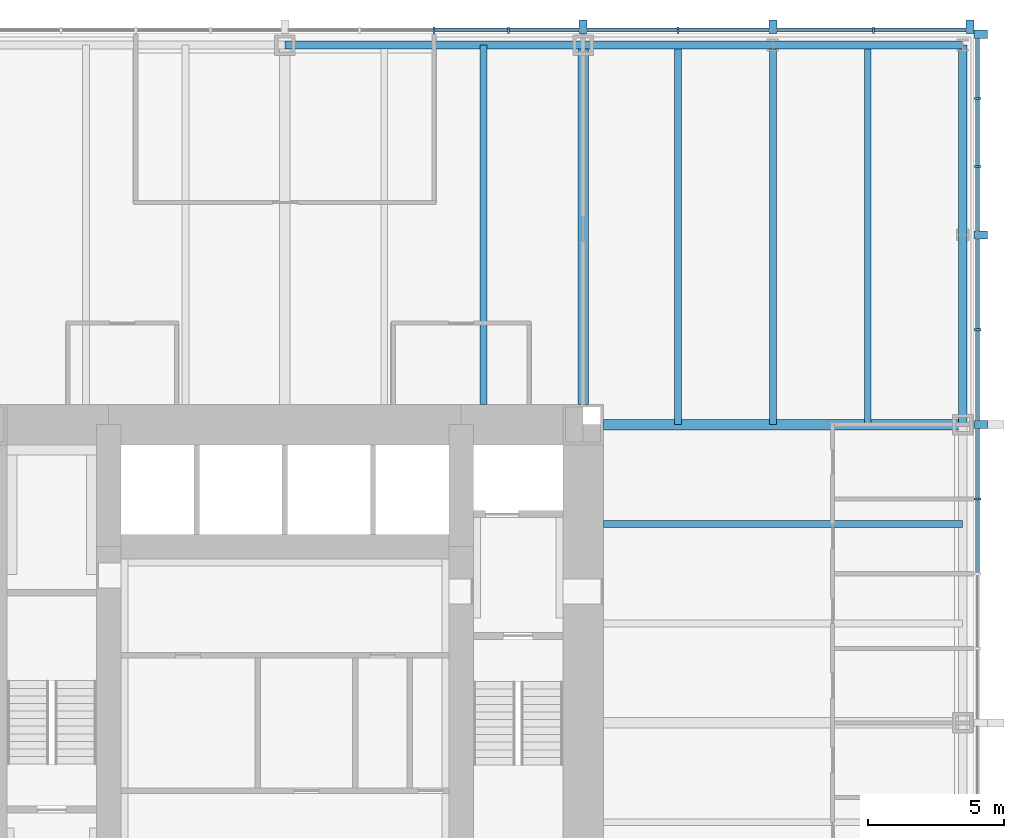
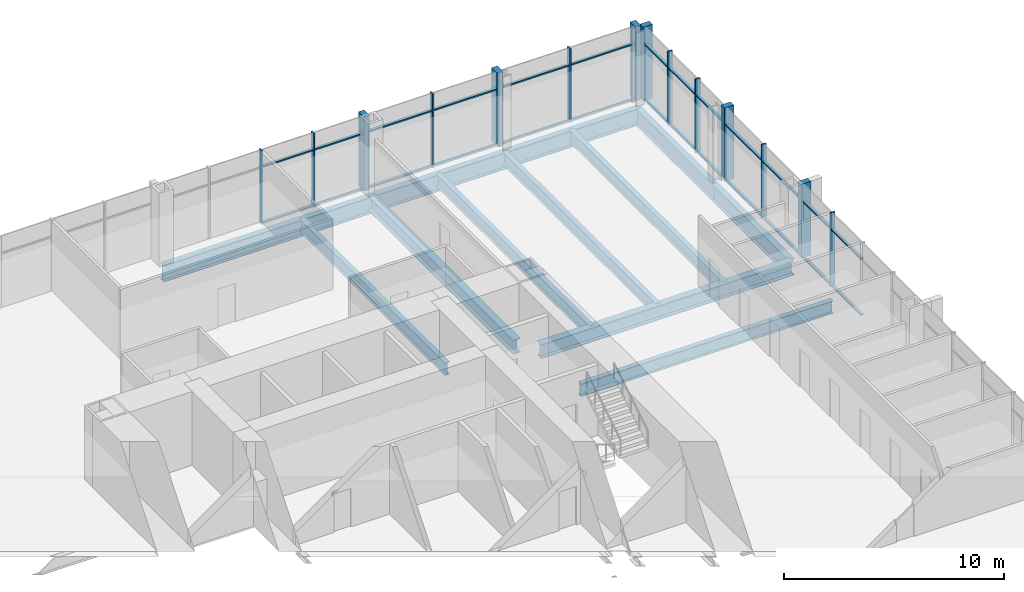
# One storey, part 6 of 13: 40 members, 12 beams, 2 elements without a shape of their own.
"""IFC4 building model written with IfcOpenShell, lengths in metres."""

from ifc_helpers import new_model, si_unit, direction, frame, origin, origin_2d, place, context, subcontext, project, spatial, rectangle, i_section, extrude, material, material_profile, profile_set, type_object, element, aggregate, save


model = new_model("IFC4")

# Units and contexts
model_context = context("Model", 3, precision=1e-05, world=origin(), true_north=direction((0.0, 1.0)))
body_context = subcontext(model_context, "Body", "Model", "MODEL_VIEW")
ifc_project = project(units=[si_unit("LENGTHUNIT", "METRE"), si_unit("AREAUNIT", "SQUARE_METRE"), si_unit("VOLUMEUNIT", "CUBIC_METRE"), si_unit("PLANEANGLEUNIT", "RADIAN"), si_unit("MASSUNIT", "GRAM", prefix="KILO")], contexts=[model_context])

# Site, building, storey
site_placement = place(None, origin())
site = spatial("IfcSite", under=ifc_project, at=site_placement, CompositionType="ELEMENT")
building_placement = place(site_placement, origin())
building = spatial("IfcBuilding", under=site, at=building_placement, Name="Trevanion Tower", CompositionType="ELEMENT")
storey_placement = place(building_placement, frame((0.0, 0.0, 81.60009765625)))
storey = spatial("IfcBuildingStorey", under=building, at=storey_placement, Name="L19", CompositionType="ELEMENT", Elevation=81.60009765625)

# Beams
ifc_material_1 = material(Name="Steel ASTM A992 Grade 50", Category="steel")
ifc_material_profile_1 = material_profile(ifc_material_1, i_section(OverallWidth=0.25390625, OverallDepth=0.700927734375, WebThickness=0.015380859375, FlangeThickness=0.02783203125, at=origin_2d()), Name="W27X129")
ifc_profile_set_1 = profile_set([ifc_material_profile_1], Name="Steel ASTM A992 Grade 50")
beam_type_1 = type_object("IfcBeamType", Name="B3 W27X129", PredefinedType="BEAM", material=ifc_profile_set_1)
for number, where, z_axis, x_axis, name in (
    (1, (11.75, 7.333251953125, -0.54052734375), (1.0, 0.0, 0.0), (0.0, 1.0, 0.0), "B3 L19"),
    (2, (7.333251953125, 11.75, -0.54052734375), (0.0, 1.0, 0.0), (-1.0, 0.0, 0.0), "B3 L19"),
):
    element("IfcBeam", number, at=place(storey_placement, frame(where, z_axis=z_axis, x_axis=x_axis)), inside=storey, type_object=beam_type_1, Name=name, PredefinedType="BEAM", context=body_context, shape_type="SweptSolid", body=[
        extrude(i_section(OverallWidth=0.25390625, OverallDepth=0.700927734375, WebThickness=0.015380859375, FlangeThickness=0.02783203125, at=origin_2d()), origin(), (0.0, 0.0, 1.0), 13.25),
    ])
ifc_material_2 = material(Name="Steel ASTM A992 Grade 50", Category="steel")
ifc_material_profile_2 = material_profile(ifc_material_2, i_section(OverallWidth=0.256591796875, OverallDepth=0.693359375, WebThickness=0.014404296875, FlangeThickness=0.023681640625, at=origin_2d()), Name="W27X114")
ifc_profile_set_2 = profile_set([ifc_material_profile_2], Name="Steel ASTM A992 Grade 50")
beam_type_2 = type_object("IfcBeamType", Name="B4 W27X114", PredefinedType="BEAM", material=ifc_profile_set_2)
for number, where, z_axis, x_axis, name in (
    (3, (14.5, 11.0, -0.536865234375), (0.0, 1.0, 0.0), (-1.0, 0.0, 0.0), "B4 L19"),
    (4, (18.0, 11.0, -0.536865234375), (0.0, 1.0, 0.0), (-1.0, 0.0, 0.0), "B4 L19"),
    (5, (21.5, 11.0, -0.536865234375), (0.0, 1.0, 0.0), (-1.0, 0.0, 0.0), "B4 L19"),
):
    element("IfcBeam", number, at=place(storey_placement, frame(where, z_axis=z_axis, x_axis=x_axis)), inside=storey, type_object=beam_type_2, Name=name, PredefinedType="BEAM", context=body_context, shape_type="SweptSolid", body=[
        extrude(i_section(OverallWidth=0.256591796875, OverallDepth=0.693359375, WebThickness=0.014404296875, FlangeThickness=0.023681640625, at=origin_2d()), origin(), (0.0, 0.0, 1.0), 14.0),
    ])

# Curtain wall, members
ifc_material_3 = material(Name="Aluminium and glass", Category="aluminium")
curtain_wall_type = type_object("IfcCurtainWallType", Name="CW1 curtain wall", PredefinedType="USERDEFINED", material=ifc_material_3)
curtain_wall_1_placement = place(storey_placement, origin())
curtain_wall_1 = element("IfcCurtainWall", 6, at=curtain_wall_1_placement, inside=storey, type_object=curtain_wall_type, Name="CW1 L19 0", ObjectType="UNITISED CURTAIN WALL", PredefinedType="USERDEFINED")
ifc_material_4 = material(Name="Aluminium extrusion, anodised bronze", Category="aluminium")
ifc_material_profile_3 = material_profile(ifc_material_4, rectangle(XDim=0.074951171875, YDim=0.25, at=origin_2d()), Name="CW1 mullion")
ifc_profile_set_3 = profile_set([ifc_material_profile_3], Name="Aluminium extrusion, anodised bronze")
member_type_1 = type_object("IfcMemberType", Name="CW1 mullion", PredefinedType="MULLION", material=ifc_profile_set_3)
member_1_placement = place(storey_placement, frame((25.550048828125, 8.25, -0.190185546875), z_axis=(0.0, 0.0, 1.0), x_axis=(0.0, 1.0, 0.0)))
member_1 = element("IfcMember", 7, at=member_1_placement, type_object=member_type_1, Name="CW1 mullion 12", PredefinedType="MULLION", context=body_context, shape_type="SweptSolid", body=[
    extrude(rectangle(XDim=0.074951171875, YDim=0.25, at=origin_2d()), origin(), (0.0, 0.0, 1.0), 4.10009765625),
])
member_2_placement = place(storey_placement, frame((25.550048828125, 14.5, -0.190185546875), z_axis=(0.0, 0.0, 1.0), x_axis=(0.0, 1.0, 0.0)))
member_2 = element("IfcMember", 8, at=member_2_placement, type_object=member_type_1, Name="CW1 mullion 14", PredefinedType="MULLION", context=body_context, shape_type="SweptSolid", body=[
    extrude(rectangle(XDim=0.074951171875, YDim=0.25, at=origin_2d()), origin(), (0.0, 0.0, 1.0), 4.10009765625),
])
member_3_placement = place(storey_placement, frame((25.550048828125, 20.5166015625, -0.190185546875), z_axis=(0.0, 0.0, 1.0), x_axis=(0.0, 1.0, 0.0)))
member_3 = element("IfcMember", 9, at=member_3_placement, type_object=member_type_1, Name="CW1 mullion 16", PredefinedType="MULLION", context=body_context, shape_type="SweptSolid", body=[
    extrude(rectangle(XDim=0.074951171875, YDim=0.25, at=origin_2d()), origin(), (0.0, 0.0, 1.0), 4.10009765625),
])
member_4_placement = place(storey_placement, frame((25.550048828125, 23.033203125, -0.190185546875), z_axis=(0.0, 0.0, 1.0), x_axis=(0.0, 1.0, 0.0)))
member_4 = element("IfcMember", 10, at=member_4_placement, type_object=member_type_1, Name="CW1 mullion 17", PredefinedType="MULLION", context=body_context, shape_type="SweptSolid", body=[
    extrude(rectangle(XDim=0.074951171875, YDim=0.25, at=origin_2d()), origin(), (0.0, 0.0, 1.0), 4.10009765625),
])

curtain_wall_2_placement = place(storey_placement, origin())
curtain_wall_2 = element("IfcCurtainWall", 11, at=curtain_wall_2_placement, inside=storey, type_object=curtain_wall_type, Name="CW1 L19 1", ObjectType="UNITISED CURTAIN WALL", PredefinedType="USERDEFINED")
member_5_placement = place(storey_placement, frame((21.7099609375, 25.550048828125, -0.190185546875), z_axis=(0.0, 0.0, 1.0), x_axis=(-1.0, 0.0, 0.0)))
member_5 = element("IfcMember", 12, at=member_5_placement, type_object=member_type_1, Name="CW1 mullion 2", PredefinedType="MULLION", context=body_context, shape_type="SweptSolid", body=[
    extrude(rectangle(XDim=0.074951171875, YDim=0.25, at=origin_2d()), origin(), (0.0, 0.0, 1.0), 4.10009765625),
])
member_6_placement = place(storey_placement, frame((14.5, 25.550048828125, -0.190185546875), z_axis=(0.0, 0.0, 1.0), x_axis=(-1.0, 0.0, 0.0)))
member_6 = element("IfcMember", 13, at=member_6_placement, type_object=member_type_1, Name="CW1 mullion 4", PredefinedType="MULLION", context=body_context, shape_type="SweptSolid", body=[
    extrude(rectangle(XDim=0.074951171875, YDim=0.25, at=origin_2d()), origin(), (0.0, 0.0, 1.0), 4.10009765625),
])
member_7_placement = place(storey_placement, frame((8.25, 25.550048828125, -0.190185546875), z_axis=(0.0, 0.0, 1.0), x_axis=(-1.0, 0.0, 0.0)))
member_7 = element("IfcMember", 14, at=member_7_placement, type_object=member_type_1, Name="CW1 mullion 6", PredefinedType="MULLION", context=body_context, shape_type="SweptSolid", body=[
    extrude(rectangle(XDim=0.074951171875, YDim=0.25, at=origin_2d()), origin(), (0.0, 0.0, 1.0), 4.10009765625),
])
member_8_placement = place(storey_placement, frame((5.5, 25.550048828125, -0.190185546875), z_axis=(0.0, 0.0, 1.0), x_axis=(-1.0, 0.0, 0.0)))
member_8 = element("IfcMember", 15, at=member_8_placement, type_object=member_type_1, Name="CW1 mullion 7", PredefinedType="MULLION", context=body_context, shape_type="SweptSolid", body=[
    extrude(rectangle(XDim=0.074951171875, YDim=0.25, at=origin_2d()), origin(), (0.0, 0.0, 1.0), 4.10009765625),
])

# Member
ifc_material_5 = material(Name="Aluminium extrusion, anodised bronze", Category="aluminium")
ifc_material_profile_4 = material_profile(ifc_material_5, rectangle(XDim=0.300048828125, YDim=0.5, at=origin_2d()), Name="CW1 pier mullion")
ifc_profile_set_4 = profile_set([ifc_material_profile_4], Name="Aluminium extrusion, anodised bronze")
member_type_2 = type_object("IfcMemberType", Name="CW1 pier mullion", PredefinedType="MULLION", material=ifc_profile_set_4)
member_9_placement = place(storey_placement, frame((25.675048828125, 11.0, -0.190185546875), z_axis=(0.0, 0.0, 1.0), x_axis=(0.0, 1.0, 0.0)))
member_9 = element("IfcMember", 16, at=member_9_placement, type_object=member_type_2, Name="CW1 pier mullion 13", PredefinedType="MULLION", context=body_context, shape_type="SweptSolid", body=[
    extrude(rectangle(XDim=0.300048828125, YDim=0.5, at=origin_2d()), origin(), (0.0, 0.0, 1.0), 4.10009765625),
])

member_10_placement = place(storey_placement, frame((25.675048828125, 18.0, -0.190185546875), z_axis=(0.0, 0.0, 1.0), x_axis=(0.0, 1.0, 0.0)))
member_10 = element("IfcMember", 17, at=member_10_placement, type_object=member_type_2, Name="CW1 pier mullion 15", PredefinedType="MULLION", context=body_context, shape_type="SweptSolid", body=[
    extrude(rectangle(XDim=0.300048828125, YDim=0.5, at=origin_2d()), origin(), (0.0, 0.0, 1.0), 4.10009765625),
])

member_11_placement = place(storey_placement, frame((25.675048828125, 25.39990234375, -0.190185546875), z_axis=(0.0, 0.0, 1.0), x_axis=(0.0, 1.0, 0.0)))
member_11 = element("IfcMember", 18, at=member_11_placement, type_object=member_type_2, Name="CW1 pier mullion 18", PredefinedType="MULLION", context=body_context, shape_type="SweptSolid", body=[
    extrude(rectangle(XDim=0.300048828125, YDim=0.5, at=origin_2d()), origin(), (0.0, 0.0, 1.0), 4.10009765625),
])

member_12_placement = place(storey_placement, frame((25.27001953125, 25.675048828125, -0.190185546875), z_axis=(0.0, 0.0, 1.0), x_axis=(-1.0, 0.0, 0.0)))
member_12 = element("IfcMember", 19, at=member_12_placement, type_object=member_type_2, Name="CW1 pier mullion 1", PredefinedType="MULLION", context=body_context, shape_type="SweptSolid", body=[
    extrude(rectangle(XDim=0.300048828125, YDim=0.5, at=origin_2d()), origin(), (0.0, 0.0, 1.0), 4.10009765625),
])

member_13_placement = place(storey_placement, frame((18.0, 25.675048828125, -0.190185546875), z_axis=(0.0, 0.0, 1.0), x_axis=(-1.0, 0.0, 0.0)))
member_13 = element("IfcMember", 20, at=member_13_placement, type_object=member_type_2, Name="CW1 pier mullion 3", PredefinedType="MULLION", context=body_context, shape_type="SweptSolid", body=[
    extrude(rectangle(XDim=0.300048828125, YDim=0.5, at=origin_2d()), origin(), (0.0, 0.0, 1.0), 4.10009765625),
])

member_14_placement = place(storey_placement, frame((11.0, 25.675048828125, -0.190185546875), z_axis=(0.0, 0.0, 1.0), x_axis=(-1.0, 0.0, 0.0)))
member_14 = element("IfcMember", 21, at=member_14_placement, type_object=member_type_2, Name="CW1 pier mullion 5", PredefinedType="MULLION", context=body_context, shape_type="SweptSolid", body=[
    extrude(rectangle(XDim=0.300048828125, YDim=0.5, at=origin_2d()), origin(), (0.0, 0.0, 1.0), 4.10009765625),
])

ifc_material_6 = material(Name="Aluminium extrusion, anodised bronze", Category="aluminium")
ifc_material_profile_5 = material_profile(ifc_material_6, rectangle(XDim=0.14990234375, YDim=0.074951171875, at=origin_2d()), Name="CW1 transom")
ifc_profile_set_5 = profile_set([ifc_material_profile_5], Name="Aluminium extrusion, anodised bronze")
member_type_3 = type_object("IfcMemberType", Name="CW1 transom", PredefinedType="USERDEFINED", material=ifc_profile_set_5)
member_15_placement = place(storey_placement, frame((25.550048828125, 5.53759765625, -0.152587890625), z_axis=(0.0, 1.0, 0.0), x_axis=(-1.0, 0.0, 0.0)))
member_15 = element("IfcMember", 22, at=member_15_placement, type_object=member_type_3, Name="CW1 transom 11.1", ObjectType="TRANSOM", PredefinedType="USERDEFINED", context=body_context, shape_type="SweptSolid", body=[
    extrude(rectangle(XDim=0.14990234375, YDim=0.074951171875, at=origin_2d()), origin(), (0.0, 0.0, 1.0), 2.6748046875),
])

member_16_placement = place(storey_placement, frame((25.550048828125, 5.53759765625, 2.9599609375), z_axis=(0.0, 1.0, 0.0), x_axis=(-1.0, 0.0, 0.0)))
member_16 = element("IfcMember", 23, at=member_16_placement, type_object=member_type_3, Name="CW1 transom 11.2", ObjectType="TRANSOM", PredefinedType="USERDEFINED", context=body_context, shape_type="SweptSolid", body=[
    extrude(rectangle(XDim=0.14990234375, YDim=0.074951171875, at=origin_2d()), origin(), (0.0, 0.0, 1.0), 2.6748046875),
])

member_17_placement = place(storey_placement, frame((25.550048828125, 8.28759765625, -0.152587890625), z_axis=(0.0, 1.0, 0.0), x_axis=(-1.0, 0.0, 0.0)))
member_17 = element("IfcMember", 24, at=member_17_placement, type_object=member_type_3, Name="CW1 transom 12.1", ObjectType="TRANSOM", PredefinedType="USERDEFINED", context=body_context, shape_type="SweptSolid", body=[
    extrude(rectangle(XDim=0.14990234375, YDim=0.074951171875, at=origin_2d()), origin(), (0.0, 0.0, 1.0), 2.5625),
])

member_18_placement = place(storey_placement, frame((25.550048828125, 8.28759765625, 2.9599609375), z_axis=(0.0, 1.0, 0.0), x_axis=(-1.0, 0.0, 0.0)))
member_18 = element("IfcMember", 25, at=member_18_placement, type_object=member_type_3, Name="CW1 transom 12.2", ObjectType="TRANSOM", PredefinedType="USERDEFINED", context=body_context, shape_type="SweptSolid", body=[
    extrude(rectangle(XDim=0.14990234375, YDim=0.074951171875, at=origin_2d()), origin(), (0.0, 0.0, 1.0), 2.5625),
])

member_19_placement = place(storey_placement, frame((25.550048828125, 11.14990234375, -0.152587890625), z_axis=(0.0, 1.0, 0.0), x_axis=(-1.0, 0.0, 0.0)))
member_19 = element("IfcMember", 26, at=member_19_placement, type_object=member_type_3, Name="CW1 transom 13.1", ObjectType="TRANSOM", PredefinedType="USERDEFINED", context=body_context, shape_type="SweptSolid", body=[
    extrude(rectangle(XDim=0.14990234375, YDim=0.074951171875, at=origin_2d()), origin(), (0.0, 0.0, 1.0), 3.3125),
])

member_20_placement = place(storey_placement, frame((25.550048828125, 11.14990234375, 2.9599609375), z_axis=(0.0, 1.0, 0.0), x_axis=(-1.0, 0.0, 0.0)))
member_20 = element("IfcMember", 27, at=member_20_placement, type_object=member_type_3, Name="CW1 transom 13.2", ObjectType="TRANSOM", PredefinedType="USERDEFINED", context=body_context, shape_type="SweptSolid", body=[
    extrude(rectangle(XDim=0.14990234375, YDim=0.074951171875, at=origin_2d()), origin(), (0.0, 0.0, 1.0), 3.3125),
])

member_21_placement = place(storey_placement, frame((25.550048828125, 14.53759765625, -0.152587890625), z_axis=(0.0, 1.0, 0.0), x_axis=(-1.0, 0.0, 0.0)))
member_21 = element("IfcMember", 28, at=member_21_placement, type_object=member_type_3, Name="CW1 transom 14.1", ObjectType="TRANSOM", PredefinedType="USERDEFINED", context=body_context, shape_type="SweptSolid", body=[
    extrude(rectangle(XDim=0.14990234375, YDim=0.074951171875, at=origin_2d()), origin(), (0.0, 0.0, 1.0), 3.3125),
])

member_22_placement = place(storey_placement, frame((25.550048828125, 14.53759765625, 2.9599609375), z_axis=(0.0, 1.0, 0.0), x_axis=(-1.0, 0.0, 0.0)))
member_22 = element("IfcMember", 29, at=member_22_placement, type_object=member_type_3, Name="CW1 transom 14.2", ObjectType="TRANSOM", PredefinedType="USERDEFINED", context=body_context, shape_type="SweptSolid", body=[
    extrude(rectangle(XDim=0.14990234375, YDim=0.074951171875, at=origin_2d()), origin(), (0.0, 0.0, 1.0), 3.3125),
])

member_23_placement = place(storey_placement, frame((25.550048828125, 18.14990234375, -0.152587890625), z_axis=(0.0, 1.0, 0.0), x_axis=(-1.0, 0.0, 0.0)))
member_23 = element("IfcMember", 30, at=member_23_placement, type_object=member_type_3, Name="CW1 transom 15.1", ObjectType="TRANSOM", PredefinedType="USERDEFINED", context=body_context, shape_type="SweptSolid", body=[
    extrude(rectangle(XDim=0.14990234375, YDim=0.074951171875, at=origin_2d()), origin(), (0.0, 0.0, 1.0), 2.329345703125),
])

member_24_placement = place(storey_placement, frame((25.550048828125, 18.14990234375, 2.9599609375), z_axis=(0.0, 1.0, 0.0), x_axis=(-1.0, 0.0, 0.0)))
member_24 = element("IfcMember", 31, at=member_24_placement, type_object=member_type_3, Name="CW1 transom 15.2", ObjectType="TRANSOM", PredefinedType="USERDEFINED", context=body_context, shape_type="SweptSolid", body=[
    extrude(rectangle(XDim=0.14990234375, YDim=0.074951171875, at=origin_2d()), origin(), (0.0, 0.0, 1.0), 2.329345703125),
])

member_25_placement = place(storey_placement, frame((25.550048828125, 20.55419921875, -0.152587890625), z_axis=(0.0, 1.0, 0.0), x_axis=(-1.0, 0.0, 0.0)))
member_25 = element("IfcMember", 32, at=member_25_placement, type_object=member_type_3, Name="CW1 transom 16.1", ObjectType="TRANSOM", PredefinedType="USERDEFINED", context=body_context, shape_type="SweptSolid", body=[
    extrude(rectangle(XDim=0.14990234375, YDim=0.074951171875, at=origin_2d()), origin(), (0.0, 0.0, 1.0), 2.441650390625),
])

member_26_placement = place(storey_placement, frame((25.550048828125, 20.55419921875, 2.9599609375), z_axis=(0.0, 1.0, 0.0), x_axis=(-1.0, 0.0, 0.0)))
member_26 = element("IfcMember", 33, at=member_26_placement, type_object=member_type_3, Name="CW1 transom 16.2", ObjectType="TRANSOM", PredefinedType="USERDEFINED", context=body_context, shape_type="SweptSolid", body=[
    extrude(rectangle(XDim=0.14990234375, YDim=0.074951171875, at=origin_2d()), origin(), (0.0, 0.0, 1.0), 2.441650390625),
])

member_27_placement = place(storey_placement, frame((25.550048828125, 23.07080078125, -0.152587890625), z_axis=(0.0, 1.0, 0.0), x_axis=(-1.0, 0.0, 0.0)))
member_27 = element("IfcMember", 34, at=member_27_placement, type_object=member_type_3, Name="CW1 transom 17.1", ObjectType="TRANSOM", PredefinedType="USERDEFINED", context=body_context, shape_type="SweptSolid", body=[
    extrude(rectangle(XDim=0.14990234375, YDim=0.074951171875, at=origin_2d()), origin(), (0.0, 0.0, 1.0), 2.17919921875),
])

member_28_placement = place(storey_placement, frame((25.550048828125, 23.07080078125, 2.9599609375), z_axis=(0.0, 1.0, 0.0), x_axis=(-1.0, 0.0, 0.0)))
member_28 = element("IfcMember", 35, at=member_28_placement, type_object=member_type_3, Name="CW1 transom 17.2", ObjectType="TRANSOM", PredefinedType="USERDEFINED", context=body_context, shape_type="SweptSolid", body=[
    extrude(rectangle(XDim=0.14990234375, YDim=0.074951171875, at=origin_2d()), origin(), (0.0, 0.0, 1.0), 2.17919921875),
])

aggregate(curtain_wall_1, [member_1, member_9, member_2, member_10, member_3, member_4, member_11, member_15, member_16, member_17, member_18, member_19, member_20, member_21, member_22, member_23, member_24, member_25, member_26, member_27, member_28])

member_29_placement = place(storey_placement, frame((25.1201171875, 25.550048828125, -0.152587890625), z_axis=(-1.0, 0.0, 0.0), x_axis=(0.0, -1.0, 0.0)))
member_29 = element("IfcMember", 36, at=member_29_placement, type_object=member_type_3, Name="CW1 transom 1.1", ObjectType="TRANSOM", PredefinedType="USERDEFINED", context=body_context, shape_type="SweptSolid", body=[
    extrude(rectangle(XDim=0.14990234375, YDim=0.074951171875, at=origin_2d()), origin(), (0.0, 0.0, 1.0), 3.37255859375),
])

member_30_placement = place(storey_placement, frame((25.1201171875, 25.550048828125, 2.9599609375), z_axis=(-1.0, 0.0, 0.0), x_axis=(0.0, -1.0, 0.0)))
member_30 = element("IfcMember", 37, at=member_30_placement, type_object=member_type_3, Name="CW1 transom 1.2", ObjectType="TRANSOM", PredefinedType="USERDEFINED", context=body_context, shape_type="SweptSolid", body=[
    extrude(rectangle(XDim=0.14990234375, YDim=0.074951171875, at=origin_2d()), origin(), (0.0, 0.0, 1.0), 3.37255859375),
])

member_31_placement = place(storey_placement, frame((21.672607421875, 25.550048828125, -0.152587890625), z_axis=(-1.0, 0.0, 0.0), x_axis=(0.0, -1.0, 0.0)))
member_31 = element("IfcMember", 38, at=member_31_placement, type_object=member_type_3, Name="CW1 transom 2.1", ObjectType="TRANSOM", PredefinedType="USERDEFINED", context=body_context, shape_type="SweptSolid", body=[
    extrude(rectangle(XDim=0.14990234375, YDim=0.074951171875, at=origin_2d()), origin(), (0.0, 0.0, 1.0), 3.522705078125),
])

member_32_placement = place(storey_placement, frame((21.672607421875, 25.550048828125, 2.9599609375), z_axis=(-1.0, 0.0, 0.0), x_axis=(0.0, -1.0, 0.0)))
member_32 = element("IfcMember", 39, at=member_32_placement, type_object=member_type_3, Name="CW1 transom 2.2", ObjectType="TRANSOM", PredefinedType="USERDEFINED", context=body_context, shape_type="SweptSolid", body=[
    extrude(rectangle(XDim=0.14990234375, YDim=0.074951171875, at=origin_2d()), origin(), (0.0, 0.0, 1.0), 3.522705078125),
])

member_33_placement = place(storey_placement, frame((17.85009765625, 25.550048828125, -0.152587890625), z_axis=(-1.0, 0.0, 0.0), x_axis=(0.0, -1.0, 0.0)))
member_33 = element("IfcMember", 40, at=member_33_placement, type_object=member_type_3, Name="CW1 transom 3.1", ObjectType="TRANSOM", PredefinedType="USERDEFINED", context=body_context, shape_type="SweptSolid", body=[
    extrude(rectangle(XDim=0.14990234375, YDim=0.074951171875, at=origin_2d()), origin(), (0.0, 0.0, 1.0), 3.3125),
])

member_34_placement = place(storey_placement, frame((17.85009765625, 25.550048828125, 2.9599609375), z_axis=(-1.0, 0.0, 0.0), x_axis=(0.0, -1.0, 0.0)))
member_34 = element("IfcMember", 41, at=member_34_placement, type_object=member_type_3, Name="CW1 transom 3.2", ObjectType="TRANSOM", PredefinedType="USERDEFINED", context=body_context, shape_type="SweptSolid", body=[
    extrude(rectangle(XDim=0.14990234375, YDim=0.074951171875, at=origin_2d()), origin(), (0.0, 0.0, 1.0), 3.3125),
])

member_35_placement = place(storey_placement, frame((14.46240234375, 25.550048828125, -0.152587890625), z_axis=(-1.0, 0.0, 0.0), x_axis=(0.0, -1.0, 0.0)))
member_35 = element("IfcMember", 42, at=member_35_placement, type_object=member_type_3, Name="CW1 transom 4.1", ObjectType="TRANSOM", PredefinedType="USERDEFINED", context=body_context, shape_type="SweptSolid", body=[
    extrude(rectangle(XDim=0.14990234375, YDim=0.074951171875, at=origin_2d()), origin(), (0.0, 0.0, 1.0), 3.3125),
])

member_36_placement = place(storey_placement, frame((14.46240234375, 25.550048828125, 2.9599609375), z_axis=(-1.0, 0.0, 0.0), x_axis=(0.0, -1.0, 0.0)))
member_36 = element("IfcMember", 43, at=member_36_placement, type_object=member_type_3, Name="CW1 transom 4.2", ObjectType="TRANSOM", PredefinedType="USERDEFINED", context=body_context, shape_type="SweptSolid", body=[
    extrude(rectangle(XDim=0.14990234375, YDim=0.074951171875, at=origin_2d()), origin(), (0.0, 0.0, 1.0), 3.3125),
])

member_37_placement = place(storey_placement, frame((10.85009765625, 25.550048828125, -0.152587890625), z_axis=(-1.0, 0.0, 0.0), x_axis=(0.0, -1.0, 0.0)))
member_37 = element("IfcMember", 44, at=member_37_placement, type_object=member_type_3, Name="CW1 transom 5.1", ObjectType="TRANSOM", PredefinedType="USERDEFINED", context=body_context, shape_type="SweptSolid", body=[
    extrude(rectangle(XDim=0.14990234375, YDim=0.074951171875, at=origin_2d()), origin(), (0.0, 0.0, 1.0), 2.5625),
])

member_38_placement = place(storey_placement, frame((10.85009765625, 25.550048828125, 2.9599609375), z_axis=(-1.0, 0.0, 0.0), x_axis=(0.0, -1.0, 0.0)))
member_38 = element("IfcMember", 45, at=member_38_placement, type_object=member_type_3, Name="CW1 transom 5.2", ObjectType="TRANSOM", PredefinedType="USERDEFINED", context=body_context, shape_type="SweptSolid", body=[
    extrude(rectangle(XDim=0.14990234375, YDim=0.074951171875, at=origin_2d()), origin(), (0.0, 0.0, 1.0), 2.5625),
])

member_39_placement = place(storey_placement, frame((8.21240234375, 25.550048828125, -0.152587890625), z_axis=(-1.0, 0.0, 0.0), x_axis=(0.0, -1.0, 0.0)))
member_39 = element("IfcMember", 46, at=member_39_placement, type_object=member_type_3, Name="CW1 transom 6.1", ObjectType="TRANSOM", PredefinedType="USERDEFINED", context=body_context, shape_type="SweptSolid", body=[
    extrude(rectangle(XDim=0.14990234375, YDim=0.074951171875, at=origin_2d()), origin(), (0.0, 0.0, 1.0), 2.6748046875),
])

member_40_placement = place(storey_placement, frame((8.21240234375, 25.550048828125, 2.9599609375), z_axis=(-1.0, 0.0, 0.0), x_axis=(0.0, -1.0, 0.0)))
member_40 = element("IfcMember", 47, at=member_40_placement, type_object=member_type_3, Name="CW1 transom 6.2", ObjectType="TRANSOM", PredefinedType="USERDEFINED", context=body_context, shape_type="SweptSolid", body=[
    extrude(rectangle(XDim=0.14990234375, YDim=0.074951171875, at=origin_2d()), origin(), (0.0, 0.0, 1.0), 2.6748046875),
])

aggregate(curtain_wall_2, [member_12, member_5, member_13, member_6, member_14, member_7, member_8, member_29, member_30, member_31, member_32, member_33, member_34, member_35, member_36, member_37, member_38, member_39, member_40])

# Beams
ifc_material_7 = material(Name="Steel ASTM A992 Grade 50", Category="steel")
ifc_material_profile_6 = material_profile(ifc_material_7, i_section(OverallWidth=0.381103515625, OverallDepth=0.77978515625, WebThickness=0.01806640625, FlangeThickness=0.0302734375, at=origin_2d()), Name="W30X191")
ifc_profile_set_6 = profile_set([ifc_material_profile_6], Name="Steel ASTM A992 Grade 50")
beam_type_3 = type_object("IfcBeamType", Name="G2 W30X191", PredefinedType="BEAM", material=ifc_profile_set_6)
for number, where, z_axis, x_axis, name in (
    (48, (11.75, 11.0, -0.580078125), (1.0, 0.0, 0.0), (0.0, 1.0, 0.0), "G2 L19"),
    (49, (11.0, 11.75, -0.580078125), (0.0, 1.0, 0.0), (-1.0, 0.0, 0.0), "G2 L19"),
):
    element("IfcBeam", number, at=place(storey_placement, frame(where, z_axis=z_axis, x_axis=x_axis)), inside=storey, type_object=beam_type_3, Name=name, PredefinedType="BEAM", context=body_context, shape_type="SweptSolid", body=[
        extrude(i_section(OverallWidth=0.381103515625, OverallDepth=0.77978515625, WebThickness=0.01806640625, FlangeThickness=0.0302734375, at=origin_2d()), origin(), (0.0, 0.0, 1.0), 13.25),
    ])
ifc_material_8 = material(Name="Steel ASTM A992 Grade 50", Category="steel")
ifc_material_profile_7 = material_profile(ifc_material_8, i_section(OverallWidth=0.307373046875, OverallDepth=0.927001953125, WebThickness=0.01953125, FlangeThickness=0.031982421875, at=origin_2d()), Name="W36X194")
ifc_profile_set_7 = profile_set([ifc_material_profile_7], Name="Steel ASTM A992 Grade 50")
beam_type_4 = type_object("IfcBeamType", Name="SB2 W36X194", PredefinedType="SPANDREL", material=ifc_profile_set_7)
for number, where, z_axis, x_axis, name in (
    (50, (25.0, 11.0, -0.65380859375), (0.0, 1.0, 0.0), (-1.0, 0.0, 0.0), "SB2 L19"),
    (51, (25.0, 18.0, -0.65380859375), (0.0, 1.0, 0.0), (-1.0, 0.0, 0.0), "SB2 L19"),
    (52, (25.0, 25.0, -0.65380859375), (-1.0, 0.0, 0.0), (0.0, -1.0, 0.0), "SB2 L19"),
    (53, (18.0, 25.0, -0.65380859375), (-1.0, 0.0, 0.0), (0.0, -1.0, 0.0), "SB2 L19"),
):
    element("IfcBeam", number, at=place(storey_placement, frame(where, z_axis=z_axis, x_axis=x_axis)), inside=storey, type_object=beam_type_4, Name=name, PredefinedType="SPANDREL", context=body_context, shape_type="SweptSolid", body=[
        extrude(i_section(OverallWidth=0.307373046875, OverallDepth=0.927001953125, WebThickness=0.01953125, FlangeThickness=0.031982421875, at=origin_2d()), origin(), (0.0, 0.0, 1.0), 7.0),
    ])
beam_placement = place(storey_placement, frame((11.0, 25.0, -0.65380859375), z_axis=(-1.0, 0.0, 0.0), x_axis=(0.0, -1.0, 0.0)))
element("IfcBeam", 54, at=beam_placement, inside=storey, type_object=beam_type_4, Name="SB2 L19", PredefinedType="SPANDREL", context=body_context, shape_type="SweptSolid", body=[
    extrude(i_section(OverallWidth=0.307373046875, OverallDepth=0.927001953125, WebThickness=0.01953125, FlangeThickness=0.031982421875, at=origin_2d()), origin(), (0.0, 0.0, 1.0), 11.0),
])

save(model, "model.ifc")
